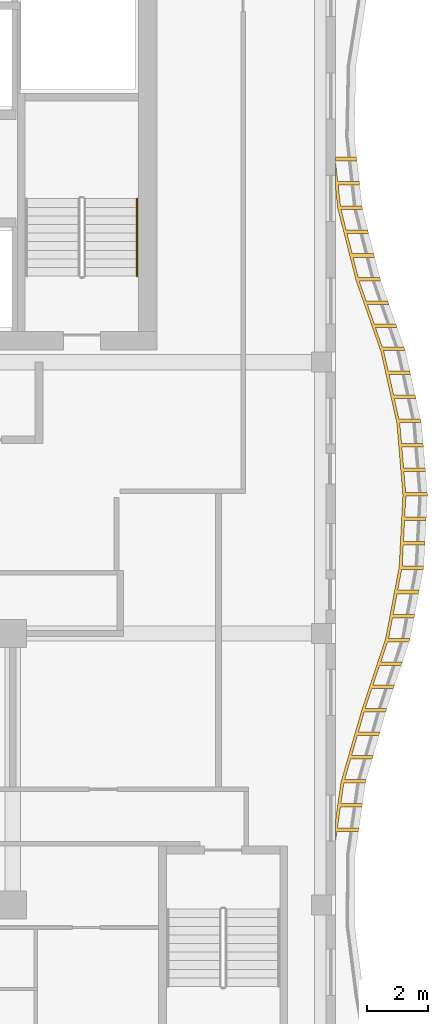
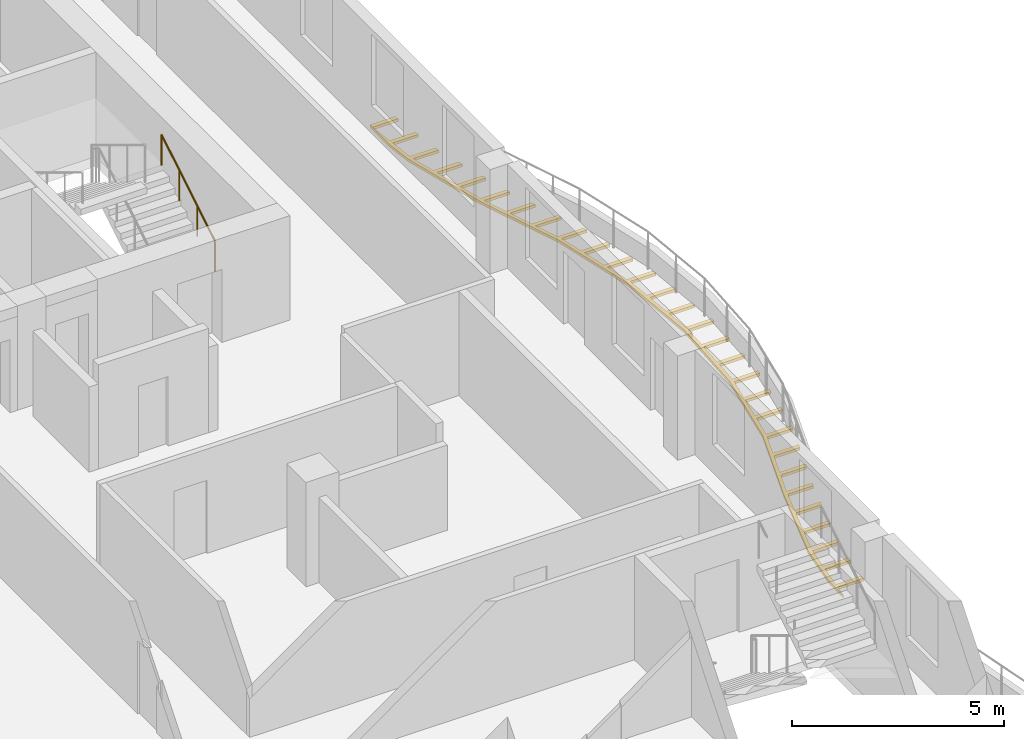
# One storey, part 13 of 13: 1 railing, 1 shading device.
"""IFC4 building model written with IfcOpenShell, lengths in metres."""

from ifc_helpers import new_model, si_unit, direction, frame, origin, origin_2d, place, context, subcontext, project, spatial, polyline, circle, outline, extrude, source, transform, mapped, material, layer, layer_set, type_object, element, save


model = new_model("IFC4")

# Units and contexts
model_context = context("Model", 3, precision=1e-05, world=origin(), true_north=direction((0.0, 1.0)))
body_context = subcontext(model_context, "Body", "Model", "MODEL_VIEW")
ifc_project = project(units=[si_unit("LENGTHUNIT", "METRE"), si_unit("AREAUNIT", "SQUARE_METRE"), si_unit("VOLUMEUNIT", "CUBIC_METRE"), si_unit("PLANEANGLEUNIT", "RADIAN"), si_unit("MASSUNIT", "GRAM", prefix="KILO")], contexts=[model_context])

# Site, building, storey
site_placement = place(None, origin())
site = spatial("IfcSite", under=ifc_project, at=site_placement, CompositionType="ELEMENT")
building_placement = place(site_placement, origin())
building = spatial("IfcBuilding", under=site, at=building_placement, Name="Kilnfold Tower and Market Hall", CompositionType="ELEMENT")
storey_placement = place(building_placement, frame((0.0, 0.0, 287.39990234375)))
storey = spatial("IfcBuildingStorey", under=building, at=storey_placement, Name="L71", CompositionType="ELEMENT", Elevation=287.39990234375)

# Railing
ifc_material_1 = material(Name="Stainless steel 316", Category="steel")
railing_type = type_object("IfcRailingType", Name="CORE STAIR HANDRAIL 900", PredefinedType="HANDRAIL", material=ifc_material_1)
railing_placement = place(storey_placement, frame((17.050048828125, 10.800048828125, 0.170166015625)))
element("IfcRailing", 1, at=railing_placement, inside=storey, type_object=railing_type, Name="L71 ST2 stair handrail 1", PredefinedType="HANDRAIL", context=body_context, shape_type="SweptSolid", body=[
    extrude(circle(Radius=0.02392578125, at=origin_2d()), frame((0.0, 0.0, 0.8759765625), z_axis=(0.0, 0.85478489116, 0.518982456201), x_axis=(-1.0, 0.0, 0.0)), (0.0, 0.0, 1.0), 2.9482421875),
    extrude(circle(Radius=0.02099609375, at=origin_2d()), origin(), (0.0, 0.0, 1.0), 0.851806640625),
    extrude(circle(Radius=0.02099609375, at=origin_2d()), frame((0.0, 0.840087890625, 0.510009765625)), (0.0, 0.0, 1.0), 0.851806640625),
    extrude(circle(Radius=0.02099609375, at=origin_2d()), frame((0.0, 1.679931640625, 1.02001953125)), (0.0, 0.0, 1.0), 0.851806640625),
    extrude(circle(Radius=0.02099609375, at=origin_2d()), frame((0.0, 2.52001953125, 1.530029296875)), (0.0, 0.0, 1.0), 0.851806640625),
])

# Shading device
ifc_material_2 = material(Name="Bronze anodised aluminium", Category="aluminium")
ifc_layer = layer(ifc_material_2, 0.080078125)
ifc_layer_set = layer_set([ifc_layer], Name="Bronze anodised aluminium")
shading_device_type = type_object("IfcShadingDeviceType", Name="BRONZE SLAT SOFFIT 80", PredefinedType="USERDEFINED", material=ifc_layer_set)
shared_shape = source(origin(), body_context, "Body", "SweptSolid", [
    extrude(outline(polyline([(23.684326171875, -5.666748046875), (24.35595703125, -3.333251953125), (25.135009765625, -1.0), (25.576904296875, 1.333251953125), (25.697998046875, 3.666748046875), (25.5048828125, 6.0), (24.9873046875, 8.333251953125), (24.171630859375, 10.666748046875), (23.57958984375, 13.0), (23.5, 13.707275390625), (23.5, 14.673095703125), (24.19140625, 14.673095703125), (24.204833984375, 14.553955078125), (23.5048828125, 14.553955078125), (23.580810546875, 13.878173828125), (24.28076171875, 13.878173828125), (24.294189453125, 13.7587890625), (23.59423828125, 13.7587890625), (23.670166015625, 13.083251953125), (24.3701171875, 13.083251953125), (24.388427734375, 12.96484375), (23.6884765625, 12.96484375), (23.855712890625, 12.3056640625), (24.5556640625, 12.3056640625), (24.585205078125, 12.189453125), (23.88525390625, 12.189453125), (24.052490234375, 11.5302734375), (24.75244140625, 11.5302734375), (24.781982421875, 11.4140625), (24.08203125, 11.4140625), (24.249267578125, 10.7548828125), (24.94921875, 10.7548828125), (24.981201171875, 10.639404296875), (24.28125, 10.639404296875), (24.505615234375, 9.997314453125), (25.20556640625, 9.997314453125), (25.2451171875, 9.884033203125), (24.545166015625, 9.884033203125), (24.76953125, 9.2421875), (25.469482421875, 9.2421875), (25.50927734375, 9.12890625), (24.80908203125, 9.12890625), (25.033447265625, 8.487060546875), (25.7333984375, 8.487060546875), (25.773193359375, 8.373779296875), (25.072998046875, 8.373779296875), (25.225341796875, 7.711181640625), (25.92529296875, 7.711181640625), (25.951416015625, 7.593994140625), (25.251220703125, 7.593994140625), (25.398681640625, 6.93017578125), (26.0986328125, 6.93017578125), (26.12451171875, 6.81298828125), (25.424560546875, 6.81298828125), (25.572021484375, 6.149169921875), (26.27197265625, 6.149169921875), (26.2978515625, 6.031982421875), (25.597900390625, 6.031982421875), (25.658203125, 5.35498046875), (26.3583984375, 5.35498046875), (26.3681640625, 5.2353515625), (25.668212890625, 5.2353515625), (25.724365234375, 4.557861328125), (26.42431640625, 4.557861328125), (26.43408203125, 4.438232421875), (25.734130859375, 4.438232421875), (25.790283203125, 3.760498046875), (26.490234375, 3.760498046875), (26.498046875, 3.666748046875), (26.49658203125, 3.640869140625), (25.796630859375, 3.640869140625), (25.761474609375, 2.9619140625), (26.46142578125, 2.9619140625), (26.455078125, 2.841796875), (25.755126953125, 2.841796875), (25.719970703125, 2.162841796875), (26.419921875, 2.162841796875), (26.413818359375, 2.04296875), (25.713623046875, 2.04296875), (25.678466796875, 1.364013671875), (26.37841796875, 1.364013671875), (26.376708984375, 1.333251953125), (26.360107421875, 1.24560546875), (25.66015625, 1.24560546875), (25.53369140625, 0.577392578125), (26.233642578125, 0.577392578125), (26.211181640625, 0.45947265625), (25.51123046875, 0.45947265625), (25.384765625, -0.20849609375), (26.084716796875, -0.20849609375), (26.0625, -0.326416015625), (25.3623046875, -0.326416015625), (25.23583984375, -0.99462890625), (25.935791015625, -0.99462890625), (25.934814453125, -1.0), (25.898681640625, -1.108642578125), (25.198486328125, -1.108642578125), (24.9833984375, -1.753662109375), (25.683349609375, -1.753662109375), (25.645263671875, -1.867431640625), (24.9453125, -1.867431640625), (24.72998046875, -2.512451171875), (25.429931640625, -2.512451171875), (25.391845703125, -2.626220703125), (24.69189453125, -2.626220703125), (24.4765625, -3.271240234375), (25.176513671875, -3.271240234375), (25.140869140625, -3.3857421875), (24.44091796875, -3.3857421875), (24.252685546875, -4.039306640625), (24.95263671875, -4.039306640625), (24.91943359375, -4.154541015625), (24.219482421875, -4.154541015625), (24.031494140625, -4.80810546875), (24.7314453125, -4.80810546875), (24.6982421875, -4.92333984375), (23.998291015625, -4.92333984375), (23.810302734375, -5.576904296875), (24.51025390625, -5.576904296875), (24.480712890625, -5.693115234375), (23.780517578125, -5.693115234375), (23.683837890625, -6.3662109375), (24.3837890625, -6.3662109375), (24.36669921875, -6.48486328125), (23.666748046875, -6.48486328125), (23.570068359375, -7.157958984375), (24.27001953125, -7.157958984375), (24.2529296875, -7.276611328125), (23.552978515625, -7.276611328125), (23.5, -7.645263671875), (23.5, -6.949462890625), (23.684326171875, -5.666748046875)])), origin(), (0.0, 0.0, 1.0), 0.079833984375),
])
shading_device_placement = place(storey_placement, frame((0.0, 0.0, -0.2998046875)))
element("IfcShadingDevice", 2, at=shading_device_placement, inside=storey, type_object=shading_device_type, Name="Balcony soffit slats L71", ObjectType="SLAT", PredefinedType="USERDEFINED", context=body_context, shape_type="MappedRepresentation", body=[
    mapped(shared_shape, transform((0.0, 0.0, 0.0))),
])

save(model, "model.ifc")
